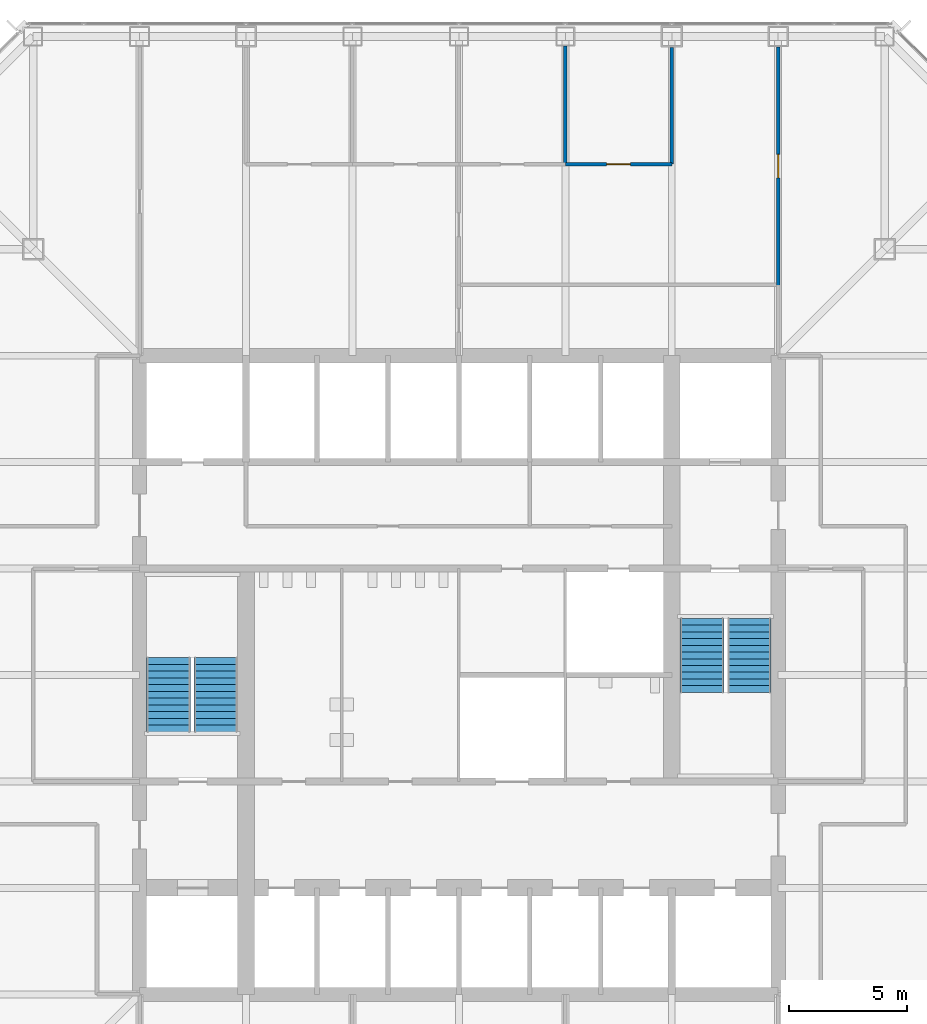
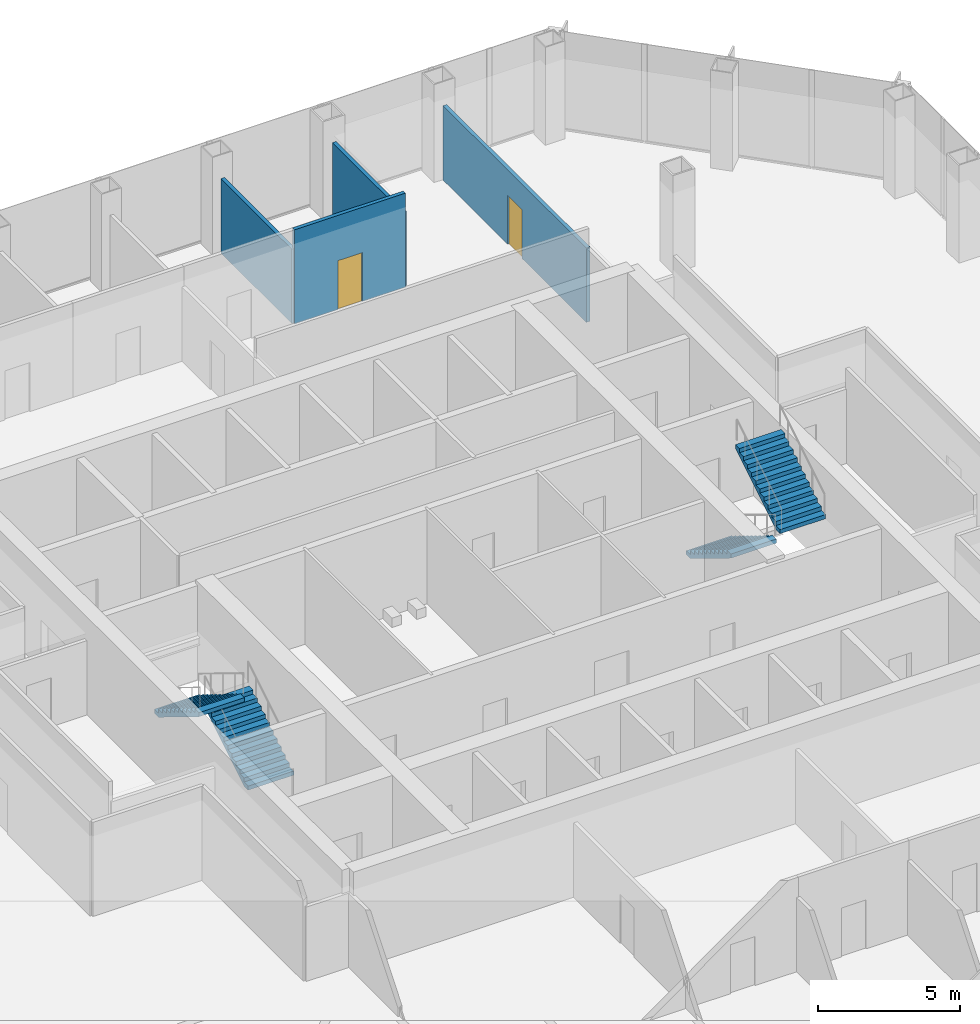
# One storey, part 11 of 13: 4 stair flights, 4 walls, 2 doors, 2 openings, 2 elements without a shape of their own.
"""IFC4 building model written with IfcOpenShell, lengths in metres."""

import ifcopenshell
import ifcopenshell.guid

model = None  # the IFC model being written
_history = None  # IfcOwnerHistory: only IFC2X3 demands one
_inside = {}  # id of a spatial element -> (the spatial element, [elements in it])
_under = {}  # id of a project, library or spatial element -> (it, [spatial elements below it])
_declared = {}  # id of a project -> (the project, [libraries it declares])
_typed = {}  # id of a type object -> (the type object, [elements of that type])
_made_of = {}  # id of a material, layer set ... -> (it, [elements and type objects made of it])


def new_model(schema):
    """Start an empty IFC model of exactly this schema.

    Asked for "IFC4X3", IfcOpenShell would pick the latest addendum, in which some entities
    have other attributes; the version numbers below select the first issue.
    IFC2X3 requires an IfcOwnerHistory on every rooted entity: one is made here for all.
    """
    global model, _history
    if schema == "IFC4X3":
        model = ifcopenshell.file(schema_version=(4, 3, 0, 0))
    else:
        model = ifcopenshell.file(schema=schema)
    _inside.clear()
    _under.clear()
    _declared.clear()
    _typed.clear()
    _made_of.clear()
    _history = None
    if model.schema == "IFC2X3":
        org = make("IfcOrganization", Name="unknown")
        user = make(
            "IfcPersonAndOrganization",
            ThePerson=make("IfcPerson", FamilyName="unknown"),
            TheOrganization=org,
        )
        app = make(
            "IfcApplication",
            ApplicationDeveloper=org,
            Version="unknown",
            ApplicationFullName="unknown",
            ApplicationIdentifier="unknown",
        )
        _history = make(
            "IfcOwnerHistory",
            OwningUser=user,
            OwningApplication=app,
            ChangeAction="ADDED",
            CreationDate=0,
        )
    return model


def make(cls, **values):
    """One entity of the class cls with the attributes given. An attribute that is None is left unset."""
    return model.create_entity(
        cls, **{name: value for name, value in values.items() if value is not None}
    )


def rooted(cls, **values):
    """An entity with a GlobalId (a new one), such as an element, a storey or a relation."""
    return make(cls, GlobalId=ifcopenshell.guid.new(), OwnerHistory=_history, **values)


def si_unit(unit_type, name, prefix=None):
    """IfcSIUnit, for example si_unit("LENGTHUNIT", "METRE", prefix="MILLI")."""
    return make("IfcSIUnit", UnitType=unit_type, Prefix=prefix, Name=name)


def assignment(units):
    """IfcUnitAssignment: the units of a project."""
    return None if units is None else make("IfcUnitAssignment", Units=units)


def point(xyz):
    """IfcCartesianPoint."""
    return None if xyz is None else make("IfcCartesianPoint", Coordinates=xyz)


def direction(xyz):
    """IfcDirection."""
    return None if xyz is None else make("IfcDirection", DirectionRatios=xyz)


def frame(location, z_axis=None, x_axis=None):
    """IfcAxis2Placement3D, a coordinate frame: its origin and axes. An axis left out is left unset."""
    return make(
        "IfcAxis2Placement3D",
        Location=point(location),
        Axis=direction(z_axis),
        RefDirection=direction(x_axis),
    )


def frame_2d(location, x_axis=None):
    """IfcAxis2Placement2D, a coordinate frame in the plane: its origin and x axis."""
    return make(
        "IfcAxis2Placement2D", Location=point(location), RefDirection=direction(x_axis)
    )


def origin():
    """The frame at (0, 0, 0) with its axes left unset."""
    return frame((0.0, 0.0, 0.0))


def place(relative_to, where):
    """IfcLocalPlacement: puts the frame where relative to a parent placement (None: the world)."""
    return make(
        "IfcLocalPlacement", PlacementRelTo=relative_to, RelativePlacement=where
    )


def context(
    kind, dimensions, precision=None, world=None, true_north=None, identifier=None
):
    """IfcGeometricRepresentationContext, for example the 3D "Model" context."""
    return make(
        "IfcGeometricRepresentationContext",
        ContextIdentifier=identifier,
        ContextType=kind,
        CoordinateSpaceDimension=dimensions,
        Precision=precision,
        WorldCoordinateSystem=world,
        TrueNorth=true_north,
    )


def subcontext(parent, identifier, kind, view, scale=None):
    """IfcGeometricRepresentationSubContext, for example "Body" below "Model"."""
    return make(
        "IfcGeometricRepresentationSubContext",
        ContextIdentifier=identifier,
        ContextType=kind,
        ParentContext=parent,
        TargetScale=scale,
        TargetView=view,
    )


def project(units=None, contexts=None):
    """IfcProject with its units and contexts."""
    return rooted(
        "IfcProject",
        Name="project",
        RepresentationContexts=contexts,
        UnitsInContext=assignment(units),
    )


def spatial(cls, under=None, at=None, **own):
    """A site, building, storey or space (cls), placed at a placement, below another one or the project."""
    s = rooted(cls, ObjectPlacement=at, **own)
    if under is not None:
        _under.setdefault(under.id(), (under, []))[1].append(s)
    return s


def polyline(points):
    """IfcPolyline through the points."""
    return make("IfcPolyline", Points=[point(p) for p in points])


def profile(cls, at=None, kind="AREA", **sizes):
    """A parametric profile (cls). Its sizes go by their IFC names, for example OverallWidth=200.0."""
    return make(cls, ProfileType=kind, Position=at, **sizes)


def rectangle(**sizes):
    """IfcRectangleProfileDef."""
    return profile("IfcRectangleProfileDef", **sizes)


def outline(outer, holes=None, kind="AREA"):
    """IfcArbitraryClosedProfileDef: a profile drawn as a closed curve; with holes, ...WithVoids."""
    if holes is None:
        return make("IfcArbitraryClosedProfileDef", ProfileType=kind, OuterCurve=outer)
    return make(
        "IfcArbitraryProfileDefWithVoids",
        ProfileType=kind,
        OuterCurve=outer,
        InnerCurves=holes,
    )


def extrude(swept, where, along, depth):
    """IfcExtrudedAreaSolid: the profile swept, set in the frame where, extruded along a direction by depth."""
    return make(
        "IfcExtrudedAreaSolid",
        SweptArea=swept,
        Position=where,
        ExtrudedDirection=direction(along),
        Depth=depth,
    )


def shape(context_of_items, identifier, shape_type, items):
    """IfcShapeRepresentation: the items that make up one representation, for example the "Body"."""
    return make(
        "IfcShapeRepresentation",
        ContextOfItems=context_of_items,
        RepresentationIdentifier=identifier,
        RepresentationType=shape_type,
        Items=items,
    )


def material(Name=None, Category=None):
    """IfcMaterial."""
    return make("IfcMaterial", Name=Name, Category=Category)


def layer(
    of_material, thickness, ventilated=None, Name=None, Category=None, Priority=None
):
    """IfcMaterialLayer: one layer of a wall or slab, of a material (None: an air gap)."""
    return make(
        "IfcMaterialLayer",
        Material=of_material,
        LayerThickness=thickness,
        IsVentilated=ventilated,
        Name=Name,
        Category=Category,
        Priority=Priority,
    )


def layer_set(layers, Name=None):
    """IfcMaterialLayerSet."""
    return make("IfcMaterialLayerSet", MaterialLayers=layers, LayerSetName=Name)


def made_of(thing, what):
    """Note that an element or type object is made of a material, layer set ...; save() writes the relation."""
    if what is not None:
        _made_of.setdefault(what.id(), (what, []))[1].append(thing)
    return thing


def type_object(cls, material=None, **own):
    """A type object (cls), such as IfcWallType, which elements share."""
    return made_of(rooted(cls, **own), material)


def element(
    cls,
    number,
    at=None,
    inside=None,
    cuts=None,
    type_object=None,
    material=None,
    context=None,
    identifier="Body",
    shape_type=None,
    held_by="IfcProductDefinitionShape",
    body=None,
    shapes=None,
    **own,
):
    """One element of the class cls, such as IfcWall. Its Tag is "e" and its number.

    at: its placement. inside: the storey or other place that contains it. cuts: it is an
    opening in that element (IfcRelVoidsElement). A single representation is given by context,
    identifier, shape_type and body (its items); several are given by shapes. held_by: the class
    of the entity that holds the representations. save() writes the other relations.
    """
    e = rooted(cls, Tag="e%d" % number, ObjectPlacement=at, **own)
    if body is not None:
        shapes = [shape(context, identifier, shape_type, body)]
    if shapes is not None:
        e.Representation = make(held_by, Representations=shapes)
    if inside is not None:
        _inside.setdefault(inside.id(), (inside, []))[1].append(e)
    if cuts is not None:
        rooted(
            "IfcRelVoidsElement", RelatingBuildingElement=cuts, RelatedOpeningElement=e
        )
    if type_object is not None:
        _typed.setdefault(type_object.id(), (type_object, []))[1].append(e)
    return made_of(e, material)


def fill(opening, filler):
    """IfcRelFillsElement: the door or window that sits in an opening."""
    return rooted(
        "IfcRelFillsElement",
        RelatingOpeningElement=opening,
        RelatedBuildingElement=filler,
    )


def aggregate(whole, parts):
    """IfcRelAggregates: a whole, such as a stair, and the parts it consists of."""
    return rooted("IfcRelAggregates", RelatingObject=whole, RelatedObjects=parts)


def save(model, path):
    """Write the relations noted so far, then the file.

    IfcRelAggregates (storeys below a building ...), IfcRelContainedInSpatialStructure (elements
    in a storey), IfcRelDefinesByType, IfcRelAssociatesMaterial and IfcRelDeclares: one each for
    every whole, place, type object, material and project.
    """
    for whole, parts in _under.values():
        aggregate(whole, parts)
    for where, things in _inside.values():
        rooted(
            "IfcRelContainedInSpatialStructure",
            RelatedElements=things,
            RelatingStructure=where,
        )
    for kind, things in _typed.values():
        rooted("IfcRelDefinesByType", RelatedObjects=things, RelatingType=kind)
    for what, things in _made_of.values():
        rooted("IfcRelAssociatesMaterial", RelatedObjects=things, RelatingMaterial=what)
    for by, libraries in _declared.values():
        rooted("IfcRelDeclares", RelatingContext=by, RelatedDefinitions=libraries)
    model.write(path)


model = new_model("IFC4")

# Units and contexts
model_context = context("Model", 3, precision=1e-05, world=origin(), true_north=direction((0.0, 1.0)))
body_context = subcontext(model_context, "Body", "Model", "MODEL_VIEW")
ifc_project = project(units=[si_unit("LENGTHUNIT", "METRE"), si_unit("AREAUNIT", "SQUARE_METRE"), si_unit("VOLUMEUNIT", "CUBIC_METRE"), si_unit("PLANEANGLEUNIT", "RADIAN"), si_unit("MASSUNIT", "GRAM", prefix="KILO")], contexts=[model_context])

# Site, building, storey
site_placement = place(None, origin())
site = spatial("IfcSite", under=ifc_project, at=site_placement, CompositionType="ELEMENT")
building_placement = place(site_placement, origin())
building = spatial("IfcBuilding", under=site, at=building_placement, Name="Corais Broadcast Tower", CompositionType="ELEMENT")
storey_placement = place(building_placement, frame((0.0, 0.0, 79.39990234375)))
storey = spatial("IfcBuildingStorey", under=building, at=storey_placement, Name="L17", CompositionType="ELEMENT", Elevation=79.39990234375)

# Wall
ifc_material_1 = material(Name="Gypsum board on steel studs", Category="steel")
ifc_layer = layer(ifc_material_1, 0.14990234375)
ifc_layer_set = layer_set([ifc_layer], Name="Gypsum board on steel studs")
wall_type = type_object("IfcWallType", Name="Partition 150", PredefinedType="PARTITIONING", material=ifc_layer_set)
wall_1_placement = place(storey_placement, frame((31.5, 48.60009765625, 0.0), z_axis=(0.0, 0.0, 1.0), x_axis=(0.0, 1.0, 0.0)))
element("IfcWall", 1, at=wall_1_placement, inside=storey, type_object=wall_type, Name="IW3 partition L17", PredefinedType="PARTITIONING", context=body_context, shape_type="SweptSolid", body=[
    extrude(rectangle(XDim=4.989990234375, YDim=0.14990234375, at=frame_2d((2.4951171875, 0.0))), origin(), (0.0, 0.0, 1.0), 3.189208984375),
])

# Wall, opening, door
wall_2_placement = place(storey_placement, frame((31.5, 48.60009765625, 0.0), z_axis=(0.0, 0.0, 1.0), x_axis=(1.0, 0.0, 0.0)))
wall_2 = element("IfcWall", 2, at=wall_2_placement, inside=storey, type_object=wall_type, Name="IW3 partition L17", PredefinedType="PARTITIONING", context=body_context, shape_type="SweptSolid", body=[
    extrude(rectangle(XDim=4.5, YDim=0.14990234375, at=frame_2d((2.25, 0.0))), origin(), (0.0, 0.0, 1.0), 4.0400390625),
])
opening_1_placement = place(wall_2_placement, frame((1.75, 0.0, 0.0)))
opening_1 = element("IfcOpeningElement", 3, at=opening_1_placement, cuts=wall_2, Name="Opening D1", PredefinedType="OPENING", context=body_context, shape_type="SweptSolid", body=[
    extrude(rectangle(XDim=1.0, YDim=2.10009765625, at=frame_2d((0.5, 1.050048828125))), frame((0.0, 0.0849609375, 0.0), z_axis=(0.0, -1.0, 0.0), x_axis=(1.0, 0.0, 0.0)), (0.0, 0.0, 1.0), 0.169921875),
])
ifc_material_2 = material(Name="Timber door", Category="wood")
door_type = type_object("IfcDoorType", Name="Single door 1000x2100", OperationType="SINGLE_SWING_LEFT", PredefinedType="DOOR", material=ifc_material_2)
door_1_placement = place(opening_1_placement, origin())
door_1 = element("IfcDoor", 4, at=door_1_placement, inside=storey, type_object=door_type, Name="D1 Office door", OperationType="SINGLE_SWING_LEFT", OverallHeight=2.10009765625, OverallWidth=1.0, PredefinedType="DOOR", context=body_context, shape_type="SweptSolid", body=[
    extrude(rectangle(XDim=1.0, YDim=2.10009765625, at=frame_2d((0.5, 1.050048828125))), frame((0.0, 0.02490234375, 0.0), z_axis=(0.0, -1.0, 0.0), x_axis=(1.0, 0.0, 0.0)), (0.0, 0.0, 1.0), 0.050048828125),
])
fill(opening_1, door_1)

# Wall
wall_3_placement = place(storey_placement, frame((36.0, 48.60009765625, 0.0), z_axis=(0.0, 0.0, 1.0), x_axis=(0.0, 1.0, 0.0)))
element("IfcWall", 5, at=wall_3_placement, inside=storey, type_object=wall_type, Name="IW3 partition L17", PredefinedType="PARTITIONING", context=body_context, shape_type="SweptSolid", body=[
    extrude(rectangle(XDim=4.93994140625, YDim=0.14990234375, at=frame_2d((2.469970703125, 0.0))), origin(), (0.0, 0.0, 1.0), 3.189208984375),
])

# Wall, opening, door
wall_4_placement = place(storey_placement, frame((40.5, 43.47998046875, 0.0), z_axis=(0.0, 0.0, 1.0), x_axis=(0.0, 1.0, 0.0)))
wall_4 = element("IfcWall", 6, at=wall_4_placement, inside=storey, type_object=wall_type, Name="IW3 partition L17", PredefinedType="PARTITIONING", context=body_context, shape_type="SweptSolid", body=[
    extrude(rectangle(XDim=10.074951171875, YDim=0.14990234375, at=frame_2d((5.03759765625, 0.0))), origin(), (0.0, 0.0, 1.0), 3.189208984375),
])
opening_2_placement = place(wall_4_placement, frame((4.53759765625, 0.0, 0.0)))
opening_2 = element("IfcOpeningElement", 7, at=opening_2_placement, cuts=wall_4, Name="Opening D1", PredefinedType="OPENING", context=body_context, shape_type="SweptSolid", body=[
    extrude(rectangle(XDim=1.0, YDim=2.10009765625, at=frame_2d((0.5, 1.050048828125))), frame((0.0, 0.0849609375, 0.0), z_axis=(0.0, -1.0, 0.0), x_axis=(1.0, 0.0, 0.0)), (0.0, 0.0, 1.0), 0.169921875),
])
door_2_placement = place(opening_2_placement, origin())
door_2 = element("IfcDoor", 8, at=door_2_placement, inside=storey, type_object=door_type, Name="D1 team room door L17", OperationType="SINGLE_SWING_LEFT", OverallHeight=2.10009765625, OverallWidth=1.0, PredefinedType="DOOR", context=body_context, shape_type="SweptSolid", body=[
    extrude(rectangle(XDim=1.0, YDim=2.10009765625, at=frame_2d((0.5, 1.050048828125))), frame((0.0, 0.02490234375, 0.0), z_axis=(0.0, -1.0, 0.0), x_axis=(1.0, 0.0, 0.0)), (0.0, 0.0, 1.0), 0.050048828125),
])
fill(opening_2, door_2)

# Stair, stair flights
ifc_material_3 = material(Name="Concrete C30/37", Category="concrete")
stair_type = type_object("IfcStairType", Name="Half-turn stair 4200", PredefinedType="HALF_TURN_STAIR", material=ifc_material_3)
stair_1_placement = place(storey_placement, origin())
stair_1 = element("IfcStair", 9, at=stair_1_placement, inside=storey, type_object=stair_type, Name="Stair A L17", PredefinedType="HALF_TURN_STAIR")
ifc_material_4 = material(Name="Concrete C30/37", Category="concrete")
stair_flight_type = type_object("IfcStairFlightType", Name="Stair flight 4200", PredefinedType="STRAIGHT", material=ifc_material_4)
stair_flight_1_placement = place(storey_placement, frame((16.72509765625, 24.60009765625, 0.0), z_axis=(0.0, 0.0, 1.0), x_axis=(0.0, 1.0, 0.0)))
stair_flight_1 = element("IfcStairFlight", 10, at=stair_flight_1_placement, type_object=stair_flight_type, Name="STA flight 1", NumberOfRisers=12, NumberOfTreads=11, PredefinedType="STRAIGHT", RiserHeight=0.175, TreadLength=0.285, context=body_context, shape_type="SweptSolid", body=[
    extrude(outline(polyline([(0.0, 0.0), (0.0, 0.175048828125), (0.284912109375, 0.175048828125), (0.284912109375, 0.35009765625), (0.570068359375, 0.35009765625), (0.570068359375, 0.52490234375), (0.85498046875, 0.52490234375), (0.85498046875, 0.699951171875), (1.139892578125, 0.699951171875), (1.139892578125, 0.875), (1.425048828125, 0.875), (1.425048828125, 1.050048828125), (1.7099609375, 1.050048828125), (1.7099609375, 1.22509765625), (1.9951171875, 1.22509765625), (1.9951171875, 1.39990234375), (2.280029296875, 1.39990234375), (2.280029296875, 1.574951171875), (2.56494140625, 1.574951171875), (2.56494140625, 1.75), (2.85009765625, 1.75), (2.85009765625, 1.925048828125), (3.135009765625, 1.925048828125), (3.135009765625, 2.10009765625), (3.135009765625, 1.7490234375), (0.286376953125, 0.0), (0.0, 0.0)])), frame((0.0, 0.925048828125, 0.0), z_axis=(0.0, -1.0, 0.0), x_axis=(1.0, 0.0, 0.0)), (0.0, 0.0, 1.0), 1.85009765625),
])
stair_flight_2_placement = place(storey_placement, frame((14.72509765625, 27.735107421875, 2.10009765625), z_axis=(0.0, 0.0, 1.0), x_axis=(0.0, -1.0, 0.0)))
stair_flight_2 = element("IfcStairFlight", 11, at=stair_flight_2_placement, type_object=stair_flight_type, Name="STA flight 2", NumberOfRisers=12, NumberOfTreads=11, PredefinedType="STRAIGHT", RiserHeight=0.175, TreadLength=0.285, context=body_context, shape_type="SweptSolid", body=[
    extrude(outline(polyline([(0.0, 0.0), (0.0, 0.175048828125), (0.284912109375, 0.175048828125), (0.284912109375, 0.35009765625), (0.570068359375, 0.35009765625), (0.570068359375, 0.52490234375), (0.85498046875, 0.52490234375), (0.85498046875, 0.699951171875), (1.139892578125, 0.699951171875), (1.139892578125, 0.875), (1.425048828125, 0.875), (1.425048828125, 1.050048828125), (1.7099609375, 1.050048828125), (1.7099609375, 1.22509765625), (1.9951171875, 1.22509765625), (1.9951171875, 1.39990234375), (2.280029296875, 1.39990234375), (2.280029296875, 1.574951171875), (2.56494140625, 1.574951171875), (2.56494140625, 1.75), (2.85009765625, 1.75), (2.85009765625, 1.925048828125), (3.135009765625, 1.925048828125), (3.135009765625, 2.10009765625), (3.135009765625, 1.7490234375), (0.286376953125, 0.0), (0.0, 0.0)])), frame((0.0, 0.925048828125, 0.0), z_axis=(0.0, -1.0, 0.0), x_axis=(1.0, 0.0, 0.0)), (0.0, 0.0, 1.0), 1.85009765625),
])
aggregate(stair_1, [stair_flight_1, stair_flight_2])

stair_2_placement = place(storey_placement, origin())
stair_2 = element("IfcStair", 12, at=stair_2_placement, inside=storey, type_object=stair_type, Name="Stair B L17", PredefinedType="HALF_TURN_STAIR")
stair_flight_3_placement = place(storey_placement, frame((37.27490234375, 29.39990234375, 0.0), z_axis=(0.0, 0.0, 1.0), x_axis=(0.0, -1.0, 0.0)))
stair_flight_3 = element("IfcStairFlight", 13, at=stair_flight_3_placement, type_object=stair_flight_type, Name="STB flight 1", NumberOfRisers=12, NumberOfTreads=11, PredefinedType="STRAIGHT", RiserHeight=0.175, TreadLength=0.285, context=body_context, shape_type="SweptSolid", body=[
    extrude(outline(polyline([(0.0, 0.0), (0.0, 0.175048828125), (0.284912109375, 0.175048828125), (0.284912109375, 0.35009765625), (0.570068359375, 0.35009765625), (0.570068359375, 0.52490234375), (0.85498046875, 0.52490234375), (0.85498046875, 0.699951171875), (1.139892578125, 0.699951171875), (1.139892578125, 0.875), (1.425048828125, 0.875), (1.425048828125, 1.050048828125), (1.7099609375, 1.050048828125), (1.7099609375, 1.22509765625), (1.9951171875, 1.22509765625), (1.9951171875, 1.39990234375), (2.280029296875, 1.39990234375), (2.280029296875, 1.574951171875), (2.56494140625, 1.574951171875), (2.56494140625, 1.75), (2.85009765625, 1.75), (2.85009765625, 1.925048828125), (3.135009765625, 1.925048828125), (3.135009765625, 2.10009765625), (3.135009765625, 1.7490234375), (0.286376953125, 0.0), (0.0, 0.0)])), frame((0.0, 0.925048828125, 0.0), z_axis=(0.0, -1.0, 0.0), x_axis=(1.0, 0.0, 0.0)), (0.0, 0.0, 1.0), 1.85009765625),
])
stair_flight_4_placement = place(storey_placement, frame((39.27490234375, 26.264892578125, 2.10009765625), z_axis=(0.0, 0.0, 1.0), x_axis=(0.0, 1.0, 0.0)))
stair_flight_4 = element("IfcStairFlight", 14, at=stair_flight_4_placement, type_object=stair_flight_type, Name="STB flight 2", NumberOfRisers=12, NumberOfTreads=11, PredefinedType="STRAIGHT", RiserHeight=0.175, TreadLength=0.285, context=body_context, shape_type="SweptSolid", body=[
    extrude(outline(polyline([(0.0, 0.0), (0.0, 0.175048828125), (0.284912109375, 0.175048828125), (0.284912109375, 0.35009765625), (0.570068359375, 0.35009765625), (0.570068359375, 0.52490234375), (0.85498046875, 0.52490234375), (0.85498046875, 0.699951171875), (1.139892578125, 0.699951171875), (1.139892578125, 0.875), (1.425048828125, 0.875), (1.425048828125, 1.050048828125), (1.7099609375, 1.050048828125), (1.7099609375, 1.22509765625), (1.9951171875, 1.22509765625), (1.9951171875, 1.39990234375), (2.280029296875, 1.39990234375), (2.280029296875, 1.574951171875), (2.56494140625, 1.574951171875), (2.56494140625, 1.75), (2.85009765625, 1.75), (2.85009765625, 1.925048828125), (3.135009765625, 1.925048828125), (3.135009765625, 2.10009765625), (3.135009765625, 1.7490234375), (0.286376953125, 0.0), (0.0, 0.0)])), frame((0.0, 0.925048828125, 0.0), z_axis=(0.0, -1.0, 0.0), x_axis=(1.0, 0.0, 0.0)), (0.0, 0.0, 1.0), 1.85009765625),
])
aggregate(stair_2, [stair_flight_3, stair_flight_4])

save(model, "model.ifc")
